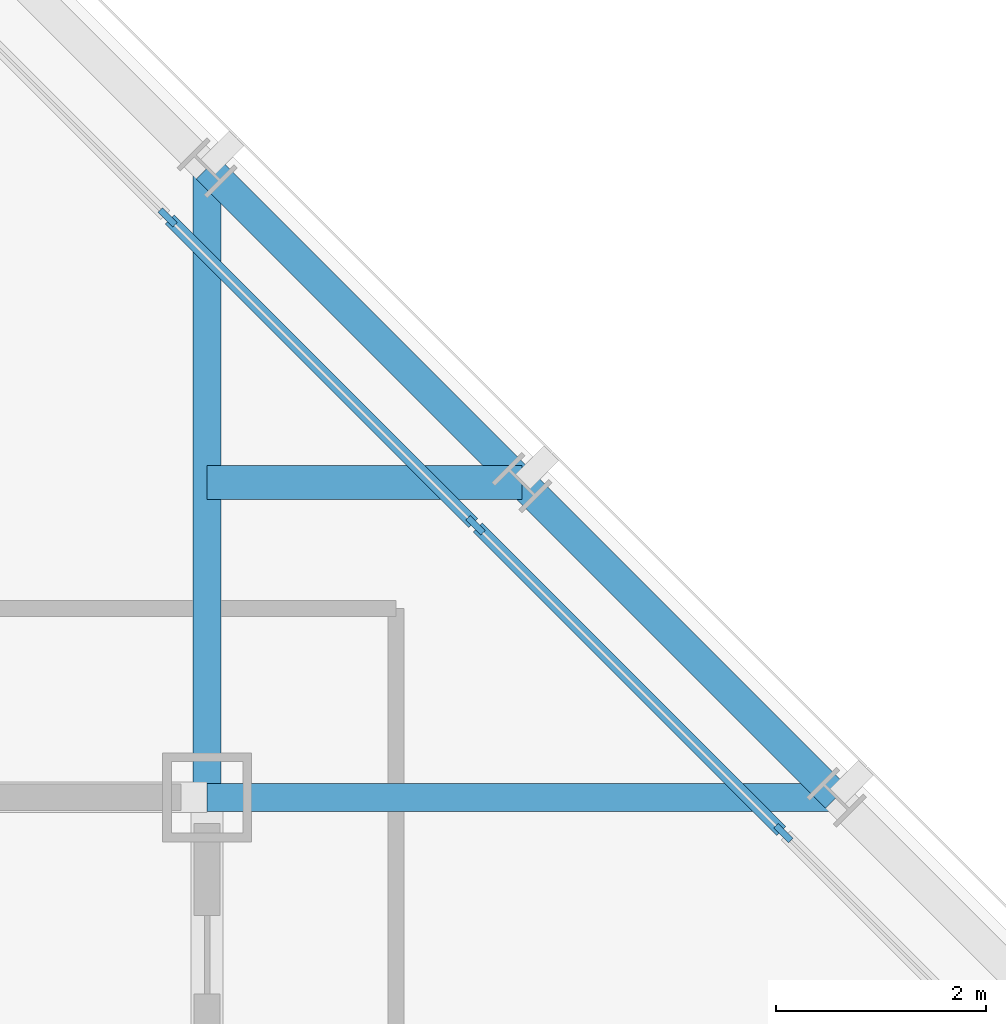
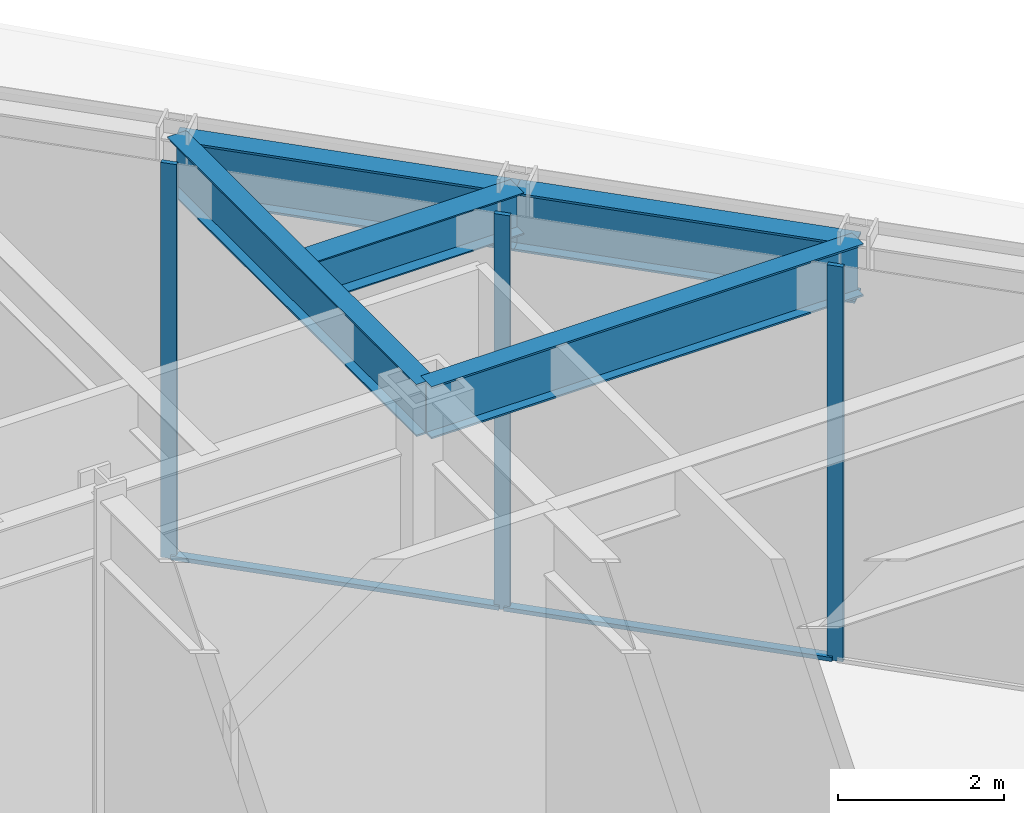
# One storey, part 12 of 30: 5 beams, 5 members, 1 element without a shape of its own.
"""IFC4 building model written with IfcOpenShell, lengths in metres."""

from ifc_helpers import new_model, si_unit, direction, frame, origin, origin_2d, place, context, subcontext, project, spatial, rectangle, i_section, extrude, material, layer, layer_set, material_profile, profile_set, type_object, element, aggregate, save


model = new_model("IFC4")

# Units and contexts
model_context = context("Model", 3, precision=1e-05, world=origin(), true_north=direction((0.0, 1.0)))
body_context = subcontext(model_context, "Body", "Model", "MODEL_VIEW")
ifc_project = project(units=[si_unit("LENGTHUNIT", "METRE"), si_unit("AREAUNIT", "SQUARE_METRE"), si_unit("VOLUMEUNIT", "CUBIC_METRE"), si_unit("PLANEANGLEUNIT", "RADIAN"), si_unit("MASSUNIT", "GRAM", prefix="KILO")], contexts=[model_context])

# Site, building, storey
site_placement = place(None, origin())
site = spatial("IfcSite", under=ifc_project, at=site_placement, CompositionType="ELEMENT")
building_placement = place(site_placement, origin())
building = spatial("IfcBuilding", under=site, at=building_placement, Name="Chuquiago Exchange Tower", CompositionType="ELEMENT")
storey_placement = place(building_placement, frame((0.0, 0.0, 306.0)))
storey = spatial("IfcBuildingStorey", under=building, at=storey_placement, Name="L68", CompositionType="ELEMENT", Elevation=306.0)

# Beam
ifc_material_1 = material(Name="Steel ASTM A992", Category="steel")
ifc_material_profile_1 = material_profile(ifc_material_1, i_section(OverallWidth=0.3251953125, OverallDepth=0.612060546875, WebThickness=0.0126953125, FlangeThickness=0.01904296875, at=origin_2d()), Name="W24X104")
ifc_profile_set_1 = profile_set([ifc_material_profile_1], Name="Steel ASTM A992")
beam_type_1 = type_object("IfcBeamType", Name="B2 W24X104", PredefinedType="BEAM", material=ifc_profile_set_1)
beam_placement = place(storey_placement, frame((33.0, 36.0, 5.493896484375), z_axis=(1.0, 0.0, 0.0), x_axis=(0.0, 1.0, 0.0)))
element("IfcBeam", 1, at=beam_placement, inside=storey, type_object=beam_type_1, Name="FB-ROOF-corner-33_36-36_36", PredefinedType="BEAM", context=body_context, shape_type="SweptSolid", body=[
    extrude(i_section(OverallWidth=0.3251953125, OverallDepth=0.612060546875, WebThickness=0.0126953125, FlangeThickness=0.01904296875, at=origin_2d()), origin(), (0.0, 0.0, 1.0), 3.0),
])

# Curtain wall, members
ifc_material_2 = material(Name="Aluminium curtain wall system", Category="aluminium")
ifc_layer = layer(ifc_material_2, 0.199951171875)
ifc_layer_set = layer_set([ifc_layer], Name="CW5 lantern curtain wall")
curtain_wall_type = type_object("IfcCurtainWallType", Name="CW5 lantern curtain wall", PredefinedType="NOTDEFINED", material=ifc_layer_set)
curtain_wall_placement = place(storey_placement, origin())
curtain_wall = element("IfcCurtainWall", 2, at=curtain_wall_placement, inside=storey, type_object=curtain_wall_type, Name="CW5 curtain wall L68", PredefinedType="NOTDEFINED")
ifc_material_3 = material(Name="Aluminium mullion, pale anodised", Category="aluminium")
ifc_material_profile_2 = material_profile(ifc_material_3, rectangle(XDim=0.06005859375, YDim=0.199951171875, at=origin_2d()), Name="AL 60x200")
ifc_profile_set_2 = profile_set([ifc_material_profile_2], Name="Aluminium mullion, pale anodised")
member_type_1 = type_object("IfcMemberType", Name="CW5-M mullion 60x200", PredefinedType="MULLION", material=ifc_profile_set_2)
member_1_placement = place(storey_placement, frame((38.49365234375, 32.657958984375, 0.0), z_axis=(0.0, 0.0, 1.0), x_axis=(-0.707108788515, -0.707104773852, 0.0)))
member_1 = element("IfcMember", 3, at=member_1_placement, type_object=member_type_1, Name="CW5 mullion 3", PredefinedType="MULLION", context=body_context, shape_type="SweptSolid", body=[
    extrude(rectangle(XDim=0.06005859375, YDim=0.199951171875, at=origin_2d()), origin(), (0.0, 0.0, 1.0), 5.800048828125),
])
member_2_placement = place(storey_placement, frame((35.55810546875, 35.593505859375, 0.0), z_axis=(0.0, 0.0, 1.0), x_axis=(-0.707108788515, -0.707104773852, 0.0)))
member_2 = element("IfcMember", 4, at=member_2_placement, type_object=member_type_1, Name="CW5 mullion 4", PredefinedType="MULLION", context=body_context, shape_type="SweptSolid", body=[
    extrude(rectangle(XDim=0.06005859375, YDim=0.199951171875, at=origin_2d()), origin(), (0.0, 0.0, 1.0), 5.800048828125),
])
member_3_placement = place(storey_placement, frame((32.62255859375, 38.529052734375, 0.0), z_axis=(0.0, 0.0, 1.0), x_axis=(-0.707108788515, -0.707104773852, 0.0)))
member_3 = element("IfcMember", 5, at=member_3_placement, type_object=member_type_1, Name="CW5 mullion 5", PredefinedType="MULLION", context=body_context, shape_type="SweptSolid", body=[
    extrude(rectangle(XDim=0.06005859375, YDim=0.199951171875, at=origin_2d()), origin(), (0.0, 0.0, 1.0), 5.800048828125),
])
ifc_material_4 = material(Name="Aluminium transom, pale anodised", Category="aluminium")
ifc_material_profile_3 = material_profile(ifc_material_4, rectangle(XDim=0.1201171875, YDim=0.06005859375, at=origin_2d()), Name="AL 120x60")
ifc_profile_set_3 = profile_set([ifc_material_profile_3], Name="Aluminium transom, pale anodised")
member_type_2 = type_object("IfcMemberType", Name="CW5-T transom 60x120", PredefinedType="MULLION", material=ifc_profile_set_3)
member_4_placement = place(storey_placement, frame((38.472412109375, 32.67919921875, 0.030029296875), z_axis=(-0.707106781187, 0.707106781187, 0.0), x_axis=(-0.707106781187, -0.707106781187, 0.0)))
member_4 = element("IfcMember", 6, at=member_4_placement, type_object=member_type_2, Name="CW5 transom 3.1", PredefinedType="MULLION", context=body_context, shape_type="SweptSolid", body=[
    extrude(rectangle(XDim=0.1201171875, YDim=0.06005859375, at=origin_2d()), origin(), (0.0, 0.0, 1.0), 4.09130859375),
])
member_5_placement = place(storey_placement, frame((35.536865234375, 35.614501953125, 0.030029296875), z_axis=(-0.707076946087, 0.707136615027, 0.0), x_axis=(-0.707136615027, -0.707076946087, 0.0)))
member_5 = element("IfcMember", 7, at=member_5_placement, type_object=member_type_2, Name="CW5 transom 4.1", PredefinedType="MULLION", context=body_context, shape_type="SweptSolid", body=[
    extrude(rectangle(XDim=0.1201171875, YDim=0.06005859375, at=origin_2d()), origin(), (0.0, 0.0, 1.0), 4.091552734375),
])
aggregate(curtain_wall, [member_1, member_2, member_3, member_4, member_5])

# Beams
ifc_material_5 = material(Name="Steel ASTM A992", Category="steel")
ifc_material_profile_4 = material_profile(ifc_material_5, i_section(OverallWidth=0.2666015625, OverallDepth=0.76953125, WebThickness=0.015625, FlangeThickness=0.025390625, at=origin_2d()), Name="W30X132")
ifc_profile_set_4 = profile_set([ifc_material_profile_4], Name="Steel ASTM A992")
beam_type_2 = type_object("IfcBeamType", Name="G1 W30X132", PredefinedType="BEAM", material=ifc_profile_set_4)
for number, where, z_axis, x_axis, name in (
    (8, (33.0, 33.0, 5.415283203125), (0.0, 1.0, 0.0), (-1.0, 0.0, 0.0), "FB-ROOF-girder-33_33-33_39"),
    (9, (33.0, 33.0, 5.415283203125), (1.0, 0.0, 0.0), (0.0, 1.0, 0.0), "FB-ROOF-girder-33_33-39_33"),
):
    element("IfcBeam", number, at=place(storey_placement, frame(where, z_axis=z_axis, x_axis=x_axis)), inside=storey, type_object=beam_type_2, Name=name, PredefinedType="BEAM", context=body_context, shape_type="SweptSolid", body=[
        extrude(i_section(OverallWidth=0.2666015625, OverallDepth=0.76953125, WebThickness=0.015625, FlangeThickness=0.025390625, at=origin_2d()), origin(), (0.0, 0.0, 1.0), 6.0),
    ])
ifc_material_6 = material(Name="Steel ASTM A992", Category="steel")
ifc_material_profile_5 = material_profile(ifc_material_6, i_section(OverallWidth=0.2919921875, OverallDepth=0.8583984375, WebThickness=0.01708984375, FlangeThickness=0.031005859375, at=origin_2d()), Name="W33X169")
ifc_profile_set_5 = profile_set([ifc_material_profile_5], Name="Steel ASTM A992")
beam_type_3 = type_object("IfcBeamType", Name="SP4 W33X169", PredefinedType="SPANDREL", material=ifc_profile_set_5)
for number, where, z_axis, x_axis, name in (
    (10, (39.0, 33.0, 5.37060546875), (-0.707106781187, 0.707106781187, 0.0), (-0.707106781187, -0.707106781187, 0.0), "SPB-ROOF-39_33-36_36"),
    (11, (36.0, 36.0, 5.37060546875), (-0.707106781187, 0.707106781187, 0.0), (-0.707106781187, -0.707106781187, 0.0), "SPB-ROOF-36_36-33_39"),
):
    element("IfcBeam", number, at=place(storey_placement, frame(where, z_axis=z_axis, x_axis=x_axis)), inside=storey, type_object=beam_type_3, Name=name, PredefinedType="SPANDREL", context=body_context, shape_type="SweptSolid", body=[
        extrude(i_section(OverallWidth=0.2919921875, OverallDepth=0.8583984375, WebThickness=0.01708984375, FlangeThickness=0.031005859375, at=origin_2d()), origin(), (0.0, 0.0, 1.0), 4.24267578125),
    ])

save(model, "model.ifc")
